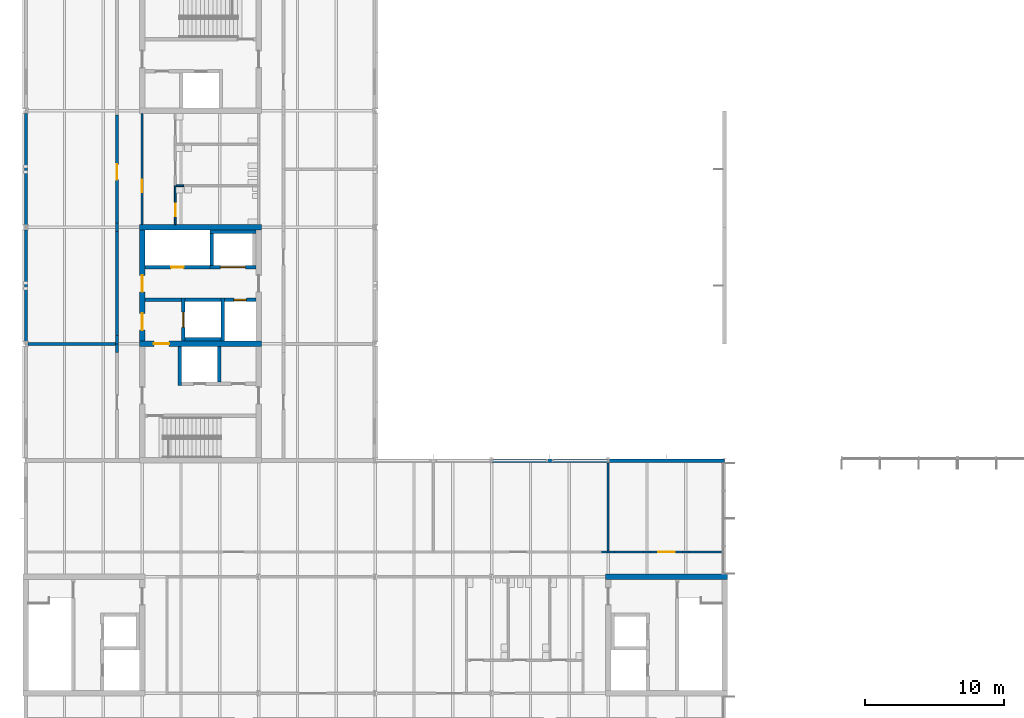
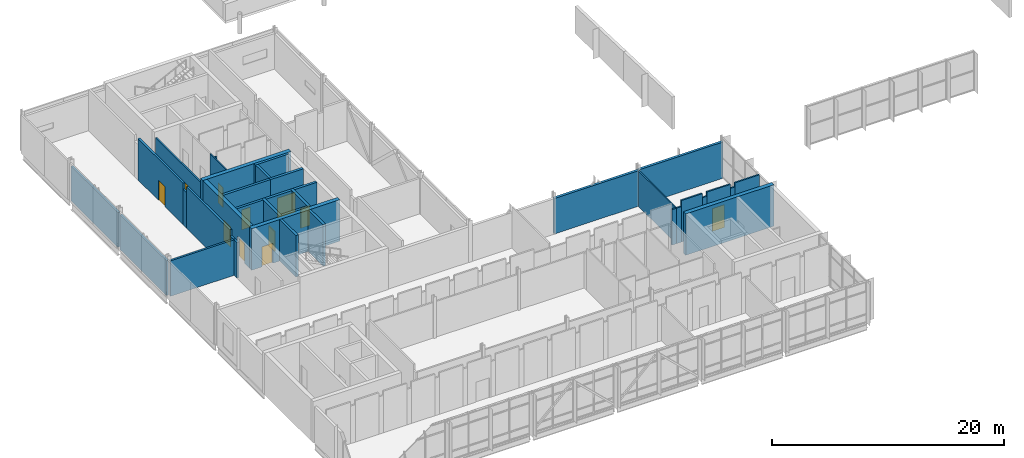
# One storey, part 41 of 72: 37 walls, 11 doors, 11 openings.
"""IFC4 building model written with IfcOpenShell, lengths in metres."""

from ifc_helpers import new_model, si_unit, direction, frame, frame_2d, origin, place, context, subcontext, project, spatial, rectangle, extrude, material, layer, layer_set, type_object, element, fill, save


model = new_model("IFC4")

# Units and contexts
model_context = context("Model", 3, precision=1e-05, world=origin(), true_north=direction((0.0, 1.0)))
body_context = subcontext(model_context, "Body", "Model", "MODEL_VIEW")
ifc_project = project(units=[si_unit("LENGTHUNIT", "METRE"), si_unit("AREAUNIT", "SQUARE_METRE"), si_unit("VOLUMEUNIT", "CUBIC_METRE"), si_unit("PLANEANGLEUNIT", "RADIAN"), si_unit("MASSUNIT", "GRAM", prefix="KILO")], contexts=[model_context])

# Site, building, storey
site_placement = place(None, origin())
site = spatial("IfcSite", under=ifc_project, at=site_placement, CompositionType="ELEMENT")
building_placement = place(site_placement, origin())
building = spatial("IfcBuilding", under=site, at=building_placement, Name="Hlaing Beacon Police Headquarters", CompositionType="ELEMENT")
storey_placement = place(building_placement, frame((0.0, 0.0, 14.39990234375)))
storey = spatial("IfcBuildingStorey", under=building, at=storey_placement, Name="L03", CompositionType="ELEMENT", Elevation=14.39990234375)

# Wall
ifc_material_1 = material(Name="Concrete C60/75", Category="concrete")
ifc_layer_1 = layer(ifc_material_1, 0.39990234375)
ifc_layer_set_1 = layer_set([ifc_layer_1], Name="Concrete C60/75")
wall_type_1 = type_object("IfcWallType", Name="Core shear wall 400", PredefinedType="SHEAR", material=ifc_layer_set_1)
wall_1_placement = place(storey_placement, frame((50.199951171875, 25.199951171875, 0.0), z_axis=(0.0, 0.0, 1.0), x_axis=(1.0, 0.0, 0.0)))
element("IfcWall", 1, at=wall_1_placement, inside=storey, type_object=wall_type_1, Name="Core shear wall", PredefinedType="SHEAR", context=body_context, shape_type="SweptSolid", body=[
    extrude(rectangle(XDim=8.800048828125, YDim=0.39990234375, at=frame_2d((4.39990234375, 0.0))), origin(), (0.0, 0.0, 1.0), 4.3701171875),
])

# Wall, opening, door
wall_2_placement = place(storey_placement, frame((16.60009765625, 42.0, 0.0), z_axis=(0.0, 0.0, 1.0), x_axis=(1.0, 0.0, 0.0)))
wall_2 = element("IfcWall", 2, at=wall_2_placement, inside=storey, type_object=wall_type_1, Name="Core shear wall", PredefinedType="SHEAR", context=body_context, shape_type="SweptSolid", body=[
    extrude(rectangle(XDim=8.7998046875, YDim=0.39990234375, at=frame_2d((4.39990234375, 0.0))), origin(), (0.0, 0.0, 1.0), 4.3701171875),
])
opening_1_placement = place(wall_2_placement, frame((1.050048828125, 0.0, 0.0)))
opening_1 = element("IfcOpeningElement", 3, at=opening_1_placement, cuts=wall_2, Name="Opening L03-925", PredefinedType="OPENING", context=body_context, shape_type="SweptSolid", body=[
    extrude(rectangle(XDim=1.10009765625, YDim=2.10009765625, at=frame_2d((0.550048828125, 1.050048828125))), frame((0.0, 0.2099609375, 0.0), z_axis=(0.0, -1.0, 0.0), x_axis=(1.0, 0.0, 0.0)), (0.0, 0.0, 1.0), 0.419921875),
])
ifc_material_2 = material(Name="Steel fire door leaf", Category="steel")
ifc_layer_2 = layer(ifc_material_2, 0.070068359375)
ifc_layer_set_2 = layer_set([ifc_layer_2], Name="Steel fire door leaf")
door_type_1 = type_object("IfcDoorType", Name="Steel fire door FD60S 1100x2100", OperationType="SINGLE_SWING_LEFT", PredefinedType="DOOR", material=ifc_layer_set_2)
door_1_placement = place(opening_1_placement, frame((1.10009765625, 0.0, 0.0), z_axis=(0.0, 0.0, 1.0), x_axis=(-1.0, 0.0, 0.0)))
door_1 = element("IfcDoor", 4, at=door_1_placement, inside=storey, type_object=door_type_1, Name="Door Firefighting Lobby Stair", OperationType="SINGLE_SWING_LEFT", OverallHeight=2.10009765625, OverallWidth=1.10009765625, PredefinedType="DOOR", context=body_context, shape_type="SweptSolid", body=[
    extrude(rectangle(XDim=1.10009765625, YDim=2.10009765625, at=frame_2d((0.550048828125, 1.050048828125))), frame((0.0, 0.034912109375, 0.0), z_axis=(0.0, -1.0, 0.0), x_axis=(1.0, 0.0, 0.0)), (0.0, 0.0, 1.0), 0.070068359375),
])
fill(opening_1, door_1)

# Wall
wall_3_placement = place(storey_placement, frame((16.60009765625, 50.39990234375, 0.0), z_axis=(0.0, 0.0, 1.0), x_axis=(1.0, 0.0, 0.0)))
element("IfcWall", 5, at=wall_3_placement, inside=storey, type_object=wall_type_1, Name="Core shear wall", PredefinedType="SHEAR", context=body_context, shape_type="SweptSolid", body=[
    extrude(rectangle(XDim=8.7998046875, YDim=0.39990234375, at=frame_2d((4.39990234375, 0.0))), origin(), (0.0, 0.0, 1.0), 4.3701171875),
])

# Wall, openings, doors
wall_4_placement = place(storey_placement, frame((16.800048828125, 42.199951171875, 0.0), z_axis=(0.0, 0.0, 1.0), x_axis=(0.0, 1.0, 0.0)))
wall_4 = element("IfcWall", 6, at=wall_4_placement, inside=storey, type_object=wall_type_1, Name="Core shear wall", PredefinedType="SHEAR", context=body_context, shape_type="SweptSolid", body=[
    extrude(rectangle(XDim=8.0, YDim=0.39990234375, at=frame_2d((4.0, 0.0))), origin(), (0.0, 0.0, 1.0), 4.3701171875),
])
opening_2_placement = place(wall_4_placement, frame((3.550048828125, 0.0, 0.0)))
opening_2 = element("IfcOpeningElement", 7, at=opening_2_placement, cuts=wall_4, Name="Opening L03-922", PredefinedType="OPENING", context=body_context, shape_type="SweptSolid", body=[
    extrude(rectangle(XDim=1.199951171875, YDim=2.10009765625, at=frame_2d((0.60009765625, 1.050048828125))), frame((0.0, 0.2099609375, 0.0), z_axis=(0.0, -1.0, 0.0), x_axis=(1.0, 0.0, 0.0)), (0.0, 0.0, 1.0), 0.419921875),
])
opening_3_placement = place(wall_4_placement, frame((0.800048828125, 0.0, 0.0)))
opening_3 = element("IfcOpeningElement", 8, at=opening_3_placement, cuts=wall_4, Name="Opening L03-924", PredefinedType="OPENING", context=body_context, shape_type="SweptSolid", body=[
    extrude(rectangle(XDim=1.199951171875, YDim=2.10009765625, at=frame_2d((0.60009765625, 1.050048828125))), frame((0.0, 0.2099609375, 0.0), z_axis=(0.0, -1.0, 0.0), x_axis=(1.0, 0.0, 0.0)), (0.0, 0.0, 1.0), 0.419921875),
])
ifc_material_3 = material(Name="Steel fire door leaf", Category="steel")
ifc_layer_3 = layer(ifc_material_3, 0.070068359375)
ifc_layer_set_3 = layer_set([ifc_layer_3], Name="Steel fire door leaf")
door_type_2 = type_object("IfcDoorType", Name="Steel fire door FD60S 1200x2100", OperationType="SINGLE_SWING_LEFT", PredefinedType="DOOR", material=ifc_layer_set_3)
door_2_placement = place(opening_2_placement, frame((1.199951171875, 0.0, 0.0), z_axis=(0.0, 0.0, 1.0), x_axis=(-1.0, 0.0, 0.0)))
door_2 = element("IfcDoor", 9, at=door_2_placement, inside=storey, type_object=door_type_2, Name="Door Lift Lobby Entry", OperationType="SINGLE_SWING_RIGHT", OverallHeight=2.10009765625, OverallWidth=1.199951171875, PredefinedType="DOOR", context=body_context, shape_type="SweptSolid", body=[
    extrude(rectangle(XDim=1.199951171875, YDim=2.10009765625, at=frame_2d((0.599853515625, 1.050048828125))), frame((0.0, 0.034912109375, 0.0), z_axis=(0.0, -1.0, 0.0), x_axis=(1.0, 0.0, 0.0)), (0.0, 0.0, 1.0), 0.070068359375),
])
fill(opening_2, door_2)
door_3_placement = place(opening_3_placement, frame((1.199951171875, 0.0, 0.0), z_axis=(0.0, 0.0, 1.0), x_axis=(-1.0, 0.0, 0.0)))
door_3 = element("IfcDoor", 10, at=door_3_placement, inside=storey, type_object=door_type_2, Name="Door Firefighting Lobby Entry", OperationType="SINGLE_SWING_LEFT", OverallHeight=2.10009765625, OverallWidth=1.199951171875, PredefinedType="DOOR", context=body_context, shape_type="SweptSolid", body=[
    extrude(rectangle(XDim=1.199951171875, YDim=2.10009765625, at=frame_2d((0.599853515625, 1.050048828125))), frame((0.0, 0.034912109375, 0.0), z_axis=(0.0, -1.0, 0.0), x_axis=(1.0, 0.0, 0.0)), (0.0, 0.0, 1.0), 0.070068359375),
])
fill(opening_3, door_3)

# Walls
ifc_material_4 = material(Name="Gypsum board partition")
ifc_layer_4 = layer(ifc_material_4, 0.14990234375)
ifc_layer_set_4 = layer_set([ifc_layer_4], Name="Gypsum board partition")
wall_type_2 = type_object("IfcWallType", Name="Corridor wall EI 30 150", PredefinedType="PARTITIONING", material=ifc_layer_set_4)
wall_5_placement = place(storey_placement, frame((50.39990234375, 27.0, 0.0), z_axis=(0.0, 0.0, 1.0), x_axis=(1.0, 0.0, 0.0)))
element("IfcWall", 11, at=wall_5_placement, inside=storey, type_object=wall_type_2, Name="Corridor wall EI 30 150", PredefinedType="PARTITIONING", context=body_context, shape_type="SweptSolid", body=[
    extrude(rectangle(XDim=0.460205078125, YDim=0.14990234375, at=frame_2d((0.22998046875, 0.0))), origin(), (0.0, 0.0, 1.0), 3.7431640625),
])
wall_6_placement = place(storey_placement, frame((50.860107421875, 27.0, 0.0), z_axis=(0.0, 0.0, 1.0), x_axis=(1.0, 0.0, 0.0)))
element("IfcWall", 12, at=wall_6_placement, inside=storey, type_object=wall_type_2, Name="Corridor wall EI 30 150", PredefinedType="PARTITIONING", context=body_context, shape_type="SweptSolid", body=[
    extrude(rectangle(XDim=2.10986328125, YDim=0.14990234375, at=frame_2d((1.054931640625, 0.0))), origin(), (0.0, 0.0, 1.0), 4.3701171875),
])
wall_7_placement = place(storey_placement, frame((52.969970703125, 27.0, 0.0), z_axis=(0.0, 0.0, 1.0), x_axis=(1.0, 0.0, 0.0)))
element("IfcWall", 13, at=wall_7_placement, inside=storey, type_object=wall_type_2, Name="Corridor wall EI 30 150", PredefinedType="PARTITIONING", context=body_context, shape_type="SweptSolid", body=[
    extrude(rectangle(XDim=0.4599609375, YDim=0.14990234375, at=frame_2d((0.22998046875, 0.0))), origin(), (0.0, 0.0, 1.0), 3.941162109375),
])

# Wall, opening, door
wall_8_placement = place(storey_placement, frame((53.429931640625, 27.0, 0.0), z_axis=(0.0, 0.0, 1.0), x_axis=(1.0, 0.0, 0.0)))
wall_8 = element("IfcWall", 14, at=wall_8_placement, inside=storey, type_object=wall_type_2, Name="Corridor wall EI 30 150", PredefinedType="PARTITIONING", context=body_context, shape_type="SweptSolid", body=[
    extrude(rectangle(XDim=2.340087890625, YDim=0.14990234375, at=frame_2d((1.169921875, 0.0))), origin(), (0.0, 0.0, 1.0), 4.3701171875),
])
opening_4_placement = place(wall_8_placement, frame((0.570068359375, 0.0, 0.0)))
opening_4 = element("IfcOpeningElement", 15, at=opening_4_placement, cuts=wall_8, Name="Opening L03-008", PredefinedType="OPENING", context=body_context, shape_type="SweptSolid", body=[
    extrude(rectangle(XDim=1.199951171875, YDim=2.39990234375, at=frame_2d((0.60009765625, 1.199951171875))), frame((0.0, 0.0849609375, 0.0), z_axis=(0.0, -1.0, 0.0), x_axis=(1.0, 0.0, 0.0)), (0.0, 0.0, 1.0), 0.169921875),
])
ifc_material_5 = material(Name="Hardwood door leaf", Category="wood")
ifc_layer_5 = layer(ifc_material_5, 0.050048828125)
ifc_layer_set_5 = layer_set([ifc_layer_5], Name="Hardwood door leaf")
door_type_3 = type_object("IfcDoorType", Name="Fire public door FD30S 1200x2400", OperationType="SINGLE_SWING_LEFT", PredefinedType="DOOR", material=ifc_layer_set_5)
door_4_placement = place(opening_4_placement, origin())
door_4 = element("IfcDoor", 16, at=door_4_placement, inside=storey, type_object=door_type_3, Name="Door Staff Welfare Room", OperationType="SINGLE_SWING_LEFT", OverallHeight=2.39990234375, OverallWidth=1.199951171875, PredefinedType="DOOR", context=body_context, shape_type="SweptSolid", body=[
    extrude(rectangle(XDim=1.199951171875, YDim=2.39990234375, at=frame_2d((0.60009765625, 1.199951171875))), frame((0.0, 0.02490234375, 0.0), z_axis=(0.0, -1.0, 0.0), x_axis=(1.0, 0.0, 0.0)), (0.0, 0.0, 1.0), 0.050048828125),
])
fill(opening_4, door_4)

# Walls
wall_9_placement = place(storey_placement, frame((55.77001953125, 27.0, 0.0), z_axis=(0.0, 0.0, 1.0), x_axis=(1.0, 0.0, 0.0)))
element("IfcWall", 17, at=wall_9_placement, inside=storey, type_object=wall_type_2, Name="Corridor wall EI 30 150", PredefinedType="PARTITIONING", context=body_context, shape_type="SweptSolid", body=[
    extrude(rectangle(XDim=0.4599609375, YDim=0.14990234375, at=frame_2d((0.22998046875, 0.0))), origin(), (0.0, 0.0, 1.0), 3.941162109375),
])
wall_10_placement = place(storey_placement, frame((56.22998046875, 27.0, 0.0), z_axis=(0.0, 0.0, 1.0), x_axis=(1.0, 0.0, 0.0)))
element("IfcWall", 18, at=wall_10_placement, inside=storey, type_object=wall_type_2, Name="Corridor wall EI 30 150", PredefinedType="PARTITIONING", context=body_context, shape_type="SweptSolid", body=[
    extrude(rectangle(XDim=2.419921875, YDim=0.14990234375, at=frame_2d((1.2099609375, 0.0))), origin(), (0.0, 0.0, 1.0), 4.3701171875),
])
wall_11_placement = place(storey_placement, frame((49.93994140625, 27.0, 0.0), z_axis=(0.0, 0.0, 1.0), x_axis=(1.0, 0.0, 0.0)))
element("IfcWall", 19, at=wall_11_placement, inside=storey, type_object=wall_type_2, Name="Corridor wall EI 30 150", PredefinedType="PARTITIONING", context=body_context, shape_type="SweptSolid", body=[
    extrude(rectangle(XDim=0.4599609375, YDim=0.14990234375, at=frame_2d((0.22998046875, 0.0))), origin(), (0.0, 0.0, 1.0), 3.7431640625),
])

# Wall, opening, door
wall_12_placement = place(storey_placement, frame((16.800048828125, 50.60009765625, 0.0), z_axis=(0.0, 0.0, 1.0), x_axis=(0.0, 1.0, 0.0)))
wall_12 = element("IfcWall", 20, at=wall_12_placement, inside=storey, type_object=wall_type_2, Name="Corridor wall EI 30 150", PredefinedType="PARTITIONING", context=body_context, shape_type="SweptSolid", body=[
    extrude(rectangle(XDim=8.0, YDim=0.14990234375, at=frame_2d((4.0, 0.0))), origin(), (0.0, 0.0, 1.0), 3.74609375),
])
opening_5_placement = place(wall_12_placement, frame((2.35009765625, 0.0, 0.0)))
opening_5 = element("IfcOpeningElement", 21, at=opening_5_placement, cuts=wall_12, Name="Opening L03-028", PredefinedType="OPENING", context=body_context, shape_type="SweptSolid", body=[
    extrude(rectangle(XDim=0.89990234375, YDim=2.10009765625, at=frame_2d((0.449951171875, 1.050048828125))), frame((0.0, 0.0849609375, 0.0), z_axis=(0.0, -1.0, 0.0), x_axis=(1.0, 0.0, 0.0)), (0.0, 0.0, 1.0), 0.169921875),
])
ifc_material_6 = material(Name="Hardwood door leaf", Category="wood")
ifc_layer_6 = layer(ifc_material_6, 0.050048828125)
ifc_layer_set_6 = layer_set([ifc_layer_6], Name="Hardwood door leaf")
door_type_4 = type_object("IfcDoorType", Name="Fire door FD30S 900x2100", OperationType="SINGLE_SWING_LEFT", PredefinedType="DOOR", material=ifc_layer_set_6)
door_5_placement = place(opening_5_placement, frame((0.89990234375, 0.0, 0.0), z_axis=(0.0, 0.0, 1.0), x_axis=(-1.0, 0.0, 0.0)))
door_5 = element("IfcDoor", 22, at=door_5_placement, inside=storey, type_object=door_type_4, Name="Door WC Lobby", OperationType="SINGLE_SWING_LEFT", OverallHeight=2.10009765625, OverallWidth=0.89990234375, PredefinedType="DOOR", context=body_context, shape_type="SweptSolid", body=[
    extrude(rectangle(XDim=0.89990234375, YDim=2.10009765625, at=frame_2d((0.449951171875, 1.050048828125))), frame((0.0, 0.025146484375, 0.0), z_axis=(0.0, -1.0, 0.0), x_axis=(1.0, 0.0, 0.0)), (0.0, 0.0, 1.0), 0.050048828125),
])
fill(opening_5, door_5)

# Walls
ifc_material_7 = material(Name="Concrete blockwork 7.5 N/mm2", Category="masonry")
ifc_layer_7 = layer(ifc_material_7, 0.199951171875)
ifc_layer_set_7 = layer_set([ifc_layer_7], Name="Concrete blockwork 7.5 N/mm2")
wall_type_3 = type_object("IfcWallType", Name="Laboratory wall EI 60 200", PredefinedType="PARTITIONING", material=ifc_layer_set_7)
for number, where, z_axis, x_axis, name in (
    (23, (15.0, 41.389892578125, 0.0), (0.0, 0.0, 1.0), (0.0, 1.0, 0.0), "Laboratory wall EI 60 200"),
    (24, (15.0, 42.0, 0.0), (0.0, 0.0, 1.0), (0.0, 1.0, 0.0), "Laboratory wall EI 60 200"),
):
    element("IfcWall", number, at=place(storey_placement, frame(where, z_axis=z_axis, x_axis=x_axis)), inside=storey, type_object=wall_type_3, Name=name, PredefinedType="PARTITIONING", context=body_context, shape_type="SweptSolid", body=[
        extrude(rectangle(XDim=0.610107421875, YDim=0.199951171875, at=frame_2d((0.30517578125, 0.0))), origin(), (0.0, 0.0, 1.0), 3.74609375),
    ])
wall_13_placement = place(storey_placement, frame((15.0, 42.610107421875, 0.0), z_axis=(0.0, 0.0, 1.0), x_axis=(0.0, 1.0, 0.0)))
element("IfcWall", 25, at=wall_13_placement, inside=storey, type_object=wall_type_3, Name="Laboratory wall EI 60 200", PredefinedType="PARTITIONING", context=body_context, shape_type="SweptSolid", body=[
    extrude(rectangle(XDim=7.48486328125, YDim=0.199951171875, at=frame_2d((3.742431640625, 0.0))), origin(), (0.0, 0.0, 1.0), 4.3701171875),
])
wall_14_placement = place(storey_placement, frame((15.0, 50.094970703125, 0.0), z_axis=(0.0, 0.0, 1.0), x_axis=(0.0, 1.0, 0.0)))
element("IfcWall", 26, at=wall_14_placement, inside=storey, type_object=wall_type_3, Name="Laboratory wall EI 60 200", PredefinedType="PARTITIONING", context=body_context, shape_type="SweptSolid", body=[
    extrude(rectangle(XDim=0.610107421875, YDim=0.199951171875, at=frame_2d((0.30517578125, 0.0))), origin(), (0.0, 0.0, 1.0), 3.74609375),
])

# Wall, opening, door
wall_15_placement = place(storey_placement, frame((15.0, 50.705078125, 0.0), z_axis=(0.0, 0.0, 1.0), x_axis=(0.0, 1.0, 0.0)))
wall_15 = element("IfcWall", 27, at=wall_15_placement, inside=storey, type_object=wall_type_3, Name="Laboratory wall EI 60 200", PredefinedType="PARTITIONING", context=body_context, shape_type="SweptSolid", body=[
    extrude(rectangle(XDim=7.7900390625, YDim=0.199951171875, at=frame_2d((3.89501953125, 0.0))), origin(), (0.0, 0.0, 1.0), 4.3701171875),
])
opening_6_placement = place(wall_15_placement, frame((3.14501953125, 0.0, 0.0)))
opening_6 = element("IfcOpeningElement", 28, at=opening_6_placement, cuts=wall_15, Name="Opening L03-031", PredefinedType="OPENING", context=body_context, shape_type="SweptSolid", body=[
    extrude(rectangle(XDim=1.10009765625, YDim=2.10009765625, at=frame_2d((0.550048828125, 1.050048828125))), frame((0.0, 0.10986328125, 0.0), z_axis=(0.0, -1.0, 0.0), x_axis=(1.0, 0.0, 0.0)), (0.0, 0.0, 1.0), 0.219970703125),
])
ifc_material_8 = material(Name="Hardwood door leaf", Category="wood")
ifc_layer_8 = layer(ifc_material_8, 0.050048828125)
ifc_layer_set_8 = layer_set([ifc_layer_8], Name="Hardwood door leaf")
door_type_5 = type_object("IfcDoorType", Name="Fire door FD30 1100x2100", OperationType="SINGLE_SWING_LEFT", PredefinedType="DOOR", material=ifc_layer_set_8)
door_6_placement = place(opening_6_placement, origin())
door_6 = element("IfcDoor", 29, at=door_6_placement, inside=storey, type_object=door_type_5, Name="Door Firearms Forensic Laboratory", OperationType="SINGLE_SWING_RIGHT", OverallHeight=2.10009765625, OverallWidth=1.10009765625, PredefinedType="DOOR", context=body_context, shape_type="SweptSolid", body=[
    extrude(rectangle(XDim=1.10009765625, YDim=2.10009765625, at=frame_2d((0.550048828125, 1.050048828125))), frame((0.0, 0.02490234375, 0.0), z_axis=(0.0, -1.0, 0.0), x_axis=(1.0, 0.0, 0.0)), (0.0, 0.0, 1.0), 0.050048828125),
])
fill(opening_6, door_6)

# Walls
wall_16_placement = place(storey_placement, frame((8.5849609375, 42.0, 0.0), z_axis=(0.0, 0.0, 1.0), x_axis=(1.0, 0.0, 0.0)))
element("IfcWall", 30, at=wall_16_placement, inside=storey, type_object=wall_type_3, Name="Laboratory wall EI 60 200", PredefinedType="PARTITIONING", context=body_context, shape_type="SweptSolid", body=[
    extrude(rectangle(XDim=6.31494140625, YDim=0.199951171875, at=frame_2d((3.157470703125, 0.0))), origin(), (0.0, 0.0, 1.0), 3.74609375),
])
ifc_material_9 = material(Name="Gypsum board partition")
ifc_layer_9 = layer(ifc_material_9, 0.125)
ifc_layer_set_9 = layer_set([ifc_layer_9], Name="Gypsum board partition")
wall_type_4 = type_object("IfcWallType", Name="Partition 125", PredefinedType="PARTITIONING", material=ifc_layer_set_9)
wall_17_placement = place(storey_placement, frame((50.39990234375, 27.074951171875, 0.0), z_axis=(0.0, 0.0, 1.0), x_axis=(0.0, 1.0, 0.0)))
element("IfcWall", 31, at=wall_17_placement, inside=storey, type_object=wall_type_4, Name="Partition 125", PredefinedType="PARTITIONING", context=body_context, shape_type="SweptSolid", body=[
    extrude(rectangle(XDim=6.343994140625, YDim=0.125, at=frame_2d((3.171875, 0.0))), origin(), (0.0, 0.0, 1.0), 3.7431640625),
])
wall_18_placement = place(storey_placement, frame((19.261962890625, 53.39990234375, 0.0), z_axis=(0.0, 0.0, 1.0), x_axis=(1.0, 0.0, 0.0)))
element("IfcWall", 32, at=wall_18_placement, inside=storey, type_object=wall_type_4, Name="Partition 125", PredefinedType="PARTITIONING", context=body_context, shape_type="SweptSolid", body=[
    extrude(rectangle(XDim=0.531005859375, YDim=0.125, at=frame_2d((0.265625, 0.0))), origin(), (0.0, 0.0, 1.0), 3.89501953125),
])

# Wall, opening, door
wall_19_placement = place(storey_placement, frame((19.199951171875, 50.60009765625, 0.0), z_axis=(0.0, 0.0, 1.0), x_axis=(0.0, 1.0, 0.0)))
wall_19 = element("IfcWall", 33, at=wall_19_placement, inside=storey, type_object=wall_type_4, Name="Partition 125", PredefinedType="PARTITIONING", context=body_context, shape_type="SweptSolid", body=[
    extrude(rectangle(XDim=2.7998046875, YDim=0.125, at=frame_2d((1.39990234375, 0.0))), origin(), (0.0, 0.0, 1.0), 4.3701171875),
])
opening_7_placement = place(wall_19_placement, frame((0.60009765625, 0.0, 0.0)))
opening_7 = element("IfcOpeningElement", 34, at=opening_7_placement, cuts=wall_19, Name="Opening L03-029", PredefinedType="OPENING", context=body_context, shape_type="SweptSolid", body=[
    extrude(rectangle(XDim=0.89990234375, YDim=2.10009765625, at=frame_2d((0.449951171875, 1.050048828125))), frame((0.0, 0.072509765625, 0.0), z_axis=(0.0, -1.0, 0.0), x_axis=(1.0, 0.0, 0.0)), (0.0, 0.0, 1.0), 0.14501953125),
])
ifc_material_10 = material(Name="Hardwood door leaf", Category="wood")
ifc_layer_10 = layer(ifc_material_10, 0.0400390625)
ifc_layer_set_10 = layer_set([ifc_layer_10], Name="Hardwood door leaf")
door_type_6 = type_object("IfcDoorType", Name="Door 900x2100", OperationType="SINGLE_SWING_LEFT", PredefinedType="DOOR", material=ifc_layer_set_10)
door_7_placement = place(opening_7_placement, frame((0.89990234375, 0.0, 0.0), z_axis=(0.0, 0.0, 1.0), x_axis=(-1.0, 0.0, 0.0)))
door_7 = element("IfcDoor", 35, at=door_7_placement, inside=storey, type_object=door_type_6, Name="Door Male WC", OperationType="SINGLE_SWING_LEFT", OverallHeight=2.10009765625, OverallWidth=0.89990234375, PredefinedType="DOOR", context=body_context, shape_type="SweptSolid", body=[
    extrude(rectangle(XDim=0.89990234375, YDim=2.10009765625, at=frame_2d((0.449951171875, 1.050048828125))), frame((0.0, 0.02001953125, 0.0), z_axis=(0.0, -1.0, 0.0), x_axis=(1.0, 0.0, 0.0)), (0.0, 0.0, 1.0), 0.0400390625),
])
fill(opening_7, door_7)

# Walls
ifc_material_11 = material(Name="Concrete C40/50 precast ribbed cladding", Category="concrete")
ifc_layer_11 = layer(ifc_material_11, 0.25)
ifc_layer_set_11 = layer_set([ifc_layer_11], Name="Concrete C40/50 precast ribbed cladding")
wall_type_5 = type_object("IfcWallType", Name="Precast ribbed wall 250", PredefinedType="SOLIDWALL", material=ifc_layer_set_11)
wall_20_placement = place(storey_placement, frame((58.794677734375, 33.574951171875, 0.0), z_axis=(0.0, 0.0, 1.0), x_axis=(-1.0, 0.0, 0.0)))
element("IfcWall", 36, at=wall_20_placement, inside=storey, type_object=wall_type_5, Name="External wall L03 N009", PredefinedType="SOLIDWALL", context=body_context, shape_type="SweptSolid", body=[
    extrude(rectangle(XDim=8.390869140625, YDim=0.25, at=frame_2d((4.1953125, 0.0))), origin(), (0.0, 0.0, 1.0), 3.819091796875),
])
wall_21_placement = place(storey_placement, frame((50.396240234375, 33.574951171875, 0.0), z_axis=(0.0, 0.0, 1.0), x_axis=(-1.0, 0.0, 0.0)))
element("IfcWall", 37, at=wall_21_placement, inside=storey, type_object=wall_type_5, Name="External wall L03 N010", PredefinedType="SOLIDWALL", context=body_context, shape_type="SweptSolid", body=[
    extrude(rectangle(XDim=8.392578125, YDim=0.25, at=frame_2d((4.1962890625, 0.0))), origin(), (0.0, 0.0, 1.0), 3.7431640625),
])
ifc_material_12 = material(Name="Fibre cement ribbed cladding on insulated frame")
ifc_layer_12 = layer(ifc_material_12, 0.22509765625)
ifc_layer_set_12 = layer_set([ifc_layer_12], Name="Fibre cement ribbed cladding on insulated frame")
wall_type_6 = type_object("IfcWallType", Name="Ribbed fibre-cement clad wall 225", PredefinedType="SOLIDWALL", material=ifc_layer_set_12)
for number, where, z_axis, x_axis, name in (
    (38, (8.4375, 58.630126953125, 0.0), (0.0, 0.0, 1.0), (0.0, -1.0, 0.0), "External wall L03 W019"),
    (39, (8.4375, 50.230224609375, 0.0), (0.0, 0.0, 1.0), (0.0, -1.0, 0.0), "External wall L03 W020"),
):
    element("IfcWall", number, at=place(storey_placement, frame(where, z_axis=z_axis, x_axis=x_axis)), inside=storey, type_object=wall_type_6, Name=name, PredefinedType="SOLIDWALL", context=body_context, shape_type="SweptSolid", body=[
        extrude(rectangle(XDim=8.060302734375, YDim=0.22509765625, at=frame_2d((4.0302734375, 0.0))), origin(), (0.0, 0.0, 1.0), 3.662109375),
    ])

# Wall, opening, door
ifc_material_13 = material(Name="Concrete C40/50", Category="concrete")
ifc_layer_13 = layer(ifc_material_13, 0.25)
ifc_layer_set_13 = layer_set([ifc_layer_13], Name="Concrete C40/50")
wall_type_7 = type_object("IfcWallType", Name="Shaft wall 250", PredefinedType="SOLIDWALL", material=ifc_layer_set_13)
wall_22_placement = place(storey_placement, frame((21.699951171875, 47.52490234375, 0.0), z_axis=(0.0, 0.0, 1.0), x_axis=(-1.0, 0.0, 0.0)))
wall_22 = element("IfcWall", 40, at=wall_22_placement, inside=storey, type_object=wall_type_7, Name="Lobby wall", PredefinedType="SOLIDWALL", context=body_context, shape_type="SweptSolid", body=[
    extrude(rectangle(XDim=4.699951171875, YDim=0.25, at=frame_2d((2.35009765625, 0.0))), origin(), (0.0, 0.0, 1.0), 4.3701171875),
])
opening_8_placement = place(wall_22_placement, frame((1.89990234375, 0.0, 0.0)))
opening_8 = element("IfcOpeningElement", 41, at=opening_8_placement, cuts=wall_22, Name="Opening L03-926", PredefinedType="OPENING", context=body_context, shape_type="SweptSolid", body=[
    extrude(rectangle(XDim=0.89990234375, YDim=2.10009765625, at=frame_2d((0.449951171875, 1.050048828125))), frame((0.0, 0.135009765625, 0.0), z_axis=(0.0, -1.0, 0.0), x_axis=(1.0, 0.0, 0.0)), (0.0, 0.0, 1.0), 0.27001953125),
])
ifc_material_14 = material(Name="Steel fire door leaf", Category="steel")
ifc_layer_14 = layer(ifc_material_14, 0.070068359375)
ifc_layer_set_14 = layer_set([ifc_layer_14], Name="Steel fire door leaf")
door_type_7 = type_object("IfcDoorType", Name="Steel fire door FD60 900x2100", OperationType="SINGLE_SWING_LEFT", PredefinedType="DOOR", material=ifc_layer_set_14)
door_8_placement = place(opening_8_placement, frame((0.89990234375, 0.0, 0.0), z_axis=(0.0, 0.0, 1.0), x_axis=(-1.0, 0.0, 0.0)))
door_8 = element("IfcDoor", 42, at=door_8_placement, inside=storey, type_object=door_type_7, Name="Door Services Riser", OperationType="SINGLE_SWING_RIGHT", OverallHeight=2.10009765625, OverallWidth=0.89990234375, PredefinedType="DOOR", context=body_context, shape_type="SweptSolid", body=[
    extrude(rectangle(XDim=0.89990234375, YDim=2.10009765625, at=frame_2d((0.449951171875, 1.050048828125))), frame((0.0, 0.034912109375, 0.0), z_axis=(0.0, -1.0, 0.0), x_axis=(1.0, 0.0, 0.0)), (0.0, 0.0, 1.0), 0.070068359375),
])
fill(opening_8, door_8)

wall_23_placement = place(storey_placement, frame((25.0, 45.175048828125, 0.0), z_axis=(0.0, 0.0, 1.0), x_axis=(-1.0, 0.0, 0.0)))
wall_23 = element("IfcWall", 43, at=wall_23_placement, inside=storey, type_object=wall_type_7, Name="Lobby wall", PredefinedType="SOLIDWALL", context=body_context, shape_type="SweptSolid", body=[
    extrude(rectangle(XDim=2.25, YDim=0.25, at=frame_2d((1.125, 0.0))), origin(), (0.0, 0.0, 1.0), 4.3701171875),
])
opening_9_placement = place(wall_23_placement, frame((0.675048828125, 0.0, 0.0)))
opening_9 = element("IfcOpeningElement", 44, at=opening_9_placement, cuts=wall_23, Name="Opening L03-927", PredefinedType="OPENING", context=body_context, shape_type="SweptSolid", body=[
    extrude(rectangle(XDim=0.89990234375, YDim=2.10009765625, at=frame_2d((0.449951171875, 1.050048828125))), frame((0.0, 0.135009765625, 0.0), z_axis=(0.0, -1.0, 0.0), x_axis=(1.0, 0.0, 0.0)), (0.0, 0.0, 1.0), 0.27001953125),
])
ifc_material_15 = material(Name="Steel fire door leaf", Category="steel")
ifc_layer_15 = layer(ifc_material_15, 0.10009765625)
ifc_layer_set_15 = layer_set([ifc_layer_15], Name="Steel fire door leaf")
door_type_8 = type_object("IfcDoorType", Name="Steel fire door FD120 900x2100", OperationType="SINGLE_SWING_LEFT", PredefinedType="DOOR", material=ifc_layer_set_15)
door_9_placement = place(opening_9_placement, origin())
door_9 = element("IfcDoor", 45, at=door_9_placement, inside=storey, type_object=door_type_8, Name="Door Electrical Riser Room", OperationType="SINGLE_SWING_LEFT", OverallHeight=2.10009765625, OverallWidth=0.89990234375, PredefinedType="DOOR", context=body_context, shape_type="SweptSolid", body=[
    extrude(rectangle(XDim=0.89990234375, YDim=2.10009765625, at=frame_2d((0.449951171875, 1.050048828125))), frame((0.0, 0.050048828125, 0.0), z_axis=(0.0, -1.0, 0.0), x_axis=(1.0, 0.0, 0.0)), (0.0, 0.0, 1.0), 0.10009765625),
])
fill(opening_9, door_9)

# Walls
wall_24_placement = place(storey_placement, frame((19.64990234375, 45.175048828125, 0.0), z_axis=(0.0, 0.0, 1.0), x_axis=(-1.0, 0.0, 0.0)))
element("IfcWall", 46, at=wall_24_placement, inside=storey, type_object=wall_type_7, Name="Firefighting lobby wall", PredefinedType="SOLIDWALL", context=body_context, shape_type="SweptSolid", body=[
    extrude(rectangle(XDim=2.64990234375, YDim=0.25, at=frame_2d((1.324951171875, 0.0))), origin(), (0.0, 0.0, 1.0), 4.3701171875),
])
wall_25_placement = place(storey_placement, frame((19.52490234375, 39.0, 0.0), z_axis=(0.0, 0.0, 1.0), x_axis=(0.0, 1.0, 0.0)))
element("IfcWall", 47, at=wall_25_placement, inside=storey, type_object=wall_type_7, Name="Lobby wall", PredefinedType="SOLIDWALL", context=body_context, shape_type="SweptSolid", body=[
    extrude(rectangle(XDim=2.800048828125, YDim=0.25, at=frame_2d((1.39990234375, 0.0))), origin(), (0.0, 0.0, 1.0), 4.3701171875),
])
wall_26_placement = place(storey_placement, frame((22.375, 39.25, 0.0), z_axis=(0.0, 0.0, 1.0), x_axis=(0.0, 1.0, 0.0)))
element("IfcWall", 48, at=wall_26_placement, inside=storey, type_object=wall_type_7, Name="Riser wall", PredefinedType="SOLIDWALL", context=body_context, shape_type="SweptSolid", body=[
    extrude(rectangle(XDim=2.550048828125, YDim=0.25, at=frame_2d((1.27490234375, 0.0))), origin(), (0.0, 0.0, 1.0), 4.3701171875),
])
wall_27_placement = place(storey_placement, frame((21.699951171875, 50.074951171875, 0.0), z_axis=(0.0, 0.0, 1.0), x_axis=(1.0, 0.0, 0.0)))
element("IfcWall", 49, at=wall_27_placement, inside=storey, type_object=wall_type_7, Name="Lift shaft wall EL1", PredefinedType="SOLIDWALL", context=body_context, shape_type="SweptSolid", body=[
    extrude(rectangle(XDim=3.300048828125, YDim=0.25, at=frame_2d((1.64990234375, 0.0))), origin(), (0.0, 0.0, 1.0), 4.3701171875),
])

# Wall, opening, door
wall_28_placement = place(storey_placement, frame((21.699951171875, 47.52490234375, 0.0), z_axis=(0.0, 0.0, 1.0), x_axis=(1.0, 0.0, 0.0)))
wall_28 = element("IfcWall", 50, at=wall_28_placement, inside=storey, type_object=wall_type_7, Name="Lift shaft wall EL1", PredefinedType="SOLIDWALL", context=body_context, shape_type="SweptSolid", body=[
    extrude(rectangle(XDim=3.300048828125, YDim=0.25, at=frame_2d((1.64990234375, 0.0))), origin(), (0.0, 0.0, 1.0), 4.3701171875),
])
opening_10_placement = place(wall_28_placement, frame((0.75, 0.0, 0.0)))
opening_10 = element("IfcOpeningElement", 51, at=opening_10_placement, cuts=wall_28, Name="Opening LD-EL1-L03", PredefinedType="OPENING", context=body_context, shape_type="SweptSolid", body=[
    extrude(rectangle(XDim=1.800048828125, YDim=2.10009765625, at=frame_2d((0.89990234375, 1.050048828125))), frame((0.0, 0.135009765625, 0.0), z_axis=(0.0, -1.0, 0.0), x_axis=(1.0, 0.0, 0.0)), (0.0, 0.0, 1.0), 0.27001953125),
])
ifc_material_16 = material(Name="Stainless steel lift landing door", Category="steel")
ifc_layer_16 = layer(ifc_material_16, 0.06005859375)
ifc_layer_set_16 = layer_set([ifc_layer_16], Name="Stainless steel lift landing door")
door_type_9 = type_object("IfcDoorType", Name="Lift landing door 1800x2100", OperationType="DOUBLE_DOOR_SLIDING", PredefinedType="DOOR", material=ifc_layer_set_16)
door_10_placement = place(opening_10_placement, origin())
door_10 = element("IfcDoor", 52, at=door_10_placement, inside=storey, type_object=door_type_9, Name="Landing door EL1 L03", OperationType="DOUBLE_DOOR_SLIDING", OverallHeight=2.10009765625, OverallWidth=1.800048828125, PredefinedType="DOOR", context=body_context, shape_type="SweptSolid", body=[
    extrude(rectangle(XDim=1.800048828125, YDim=2.10009765625, at=frame_2d((0.89990234375, 1.050048828125))), frame((0.0, 0.0400390625, 0.0), z_axis=(0.0, -1.0, 0.0), x_axis=(1.0, 0.0, 0.0)), (0.0, 0.0, 1.0), 0.080078125),
])
fill(opening_10, door_10)

# Walls
wall_29_placement = place(storey_placement, frame((21.824951171875, 47.64990234375, 0.0), z_axis=(0.0, 0.0, 1.0), x_axis=(0.0, 1.0, 0.0)))
element("IfcWall", 53, at=wall_29_placement, inside=storey, type_object=wall_type_7, Name="Lift shaft wall EL1", PredefinedType="SOLIDWALL", context=body_context, shape_type="SweptSolid", body=[
    extrude(rectangle(XDim=2.300048828125, YDim=0.25, at=frame_2d((1.14990234375, 0.0))), origin(), (0.0, 0.0, 1.0), 4.3701171875),
])
wall_30_placement = place(storey_placement, frame((22.625, 42.199951171875, 0.0), z_axis=(0.0, 0.0, 1.0), x_axis=(0.0, 1.0, 0.0)))
element("IfcWall", 54, at=wall_30_placement, inside=storey, type_object=wall_type_7, Name="Lift shaft wall FL2", PredefinedType="SOLIDWALL", context=body_context, shape_type="SweptSolid", body=[
    extrude(rectangle(XDim=3.10009765625, YDim=0.25, at=frame_2d((1.550048828125, 0.0))), origin(), (0.0, 0.0, 1.0), 4.3701171875),
])
for number, where, z_axis, x_axis, name in (
    (55, (19.89990234375, 45.175048828125, 0.0), (0.0, 0.0, 1.0), (1.0, 0.0, 0.0), "Lift shaft wall FL2"),
    (56, (19.89990234375, 42.324951171875, 0.0), (0.0, 0.0, 1.0), (1.0, 0.0, 0.0), "Lift shaft wall FL2"),
):
    element("IfcWall", number, at=place(storey_placement, frame(where, z_axis=z_axis, x_axis=x_axis)), inside=storey, type_object=wall_type_7, Name=name, PredefinedType="SOLIDWALL", context=body_context, shape_type="SweptSolid", body=[
        extrude(rectangle(XDim=2.60009765625, YDim=0.25, at=frame_2d((1.300048828125, 0.0))), origin(), (0.0, 0.0, 1.0), 4.3701171875),
    ])

# Wall, opening, door
wall_31_placement = place(storey_placement, frame((19.77490234375, 42.199951171875, 0.0), z_axis=(0.0, 0.0, 1.0), x_axis=(0.0, 1.0, 0.0)))
wall_31 = element("IfcWall", 57, at=wall_31_placement, inside=storey, type_object=wall_type_7, Name="Lift shaft wall FL2", PredefinedType="SOLIDWALL", context=body_context, shape_type="SweptSolid", body=[
    extrude(rectangle(XDim=3.10009765625, YDim=0.25, at=frame_2d((1.550048828125, 0.0))), origin(), (0.0, 0.0, 1.0), 4.3701171875),
])
opening_11_placement = place(wall_31_placement, frame((1.0, 0.0, 0.0)))
opening_11 = element("IfcOpeningElement", 58, at=opening_11_placement, cuts=wall_31, Name="Opening LD-FL2-L03", PredefinedType="OPENING", context=body_context, shape_type="SweptSolid", body=[
    extrude(rectangle(XDim=1.10009765625, YDim=2.10009765625, at=frame_2d((0.550048828125, 1.050048828125))), frame((0.0, 0.135009765625, 0.0), z_axis=(0.0, -1.0, 0.0), x_axis=(1.0, 0.0, 0.0)), (0.0, 0.0, 1.0), 0.27001953125),
])
ifc_material_17 = material(Name="Stainless steel lift landing door", Category="steel")
ifc_layer_17 = layer(ifc_material_17, 0.06005859375)
ifc_layer_set_17 = layer_set([ifc_layer_17], Name="Stainless steel lift landing door")
door_type_10 = type_object("IfcDoorType", Name="Lift landing door 1100x2100", OperationType="DOUBLE_DOOR_SLIDING", PredefinedType="DOOR", material=ifc_layer_set_17)
door_11_placement = place(opening_11_placement, origin())
door_11 = element("IfcDoor", 59, at=door_11_placement, inside=storey, type_object=door_type_10, Name="Landing door FL2 L03", OperationType="DOUBLE_DOOR_SLIDING", OverallHeight=2.10009765625, OverallWidth=1.10009765625, PredefinedType="DOOR", context=body_context, shape_type="SweptSolid", body=[
    extrude(rectangle(XDim=1.10009765625, YDim=2.10009765625, at=frame_2d((0.550048828125, 1.050048828125))), frame((0.0, 0.0400390625, 0.0), z_axis=(0.0, -1.0, 0.0), x_axis=(1.0, 0.0, 0.0)), (0.0, 0.0, 1.0), 0.080078125),
])
fill(opening_11, door_11)

save(model, "model.ifc")
